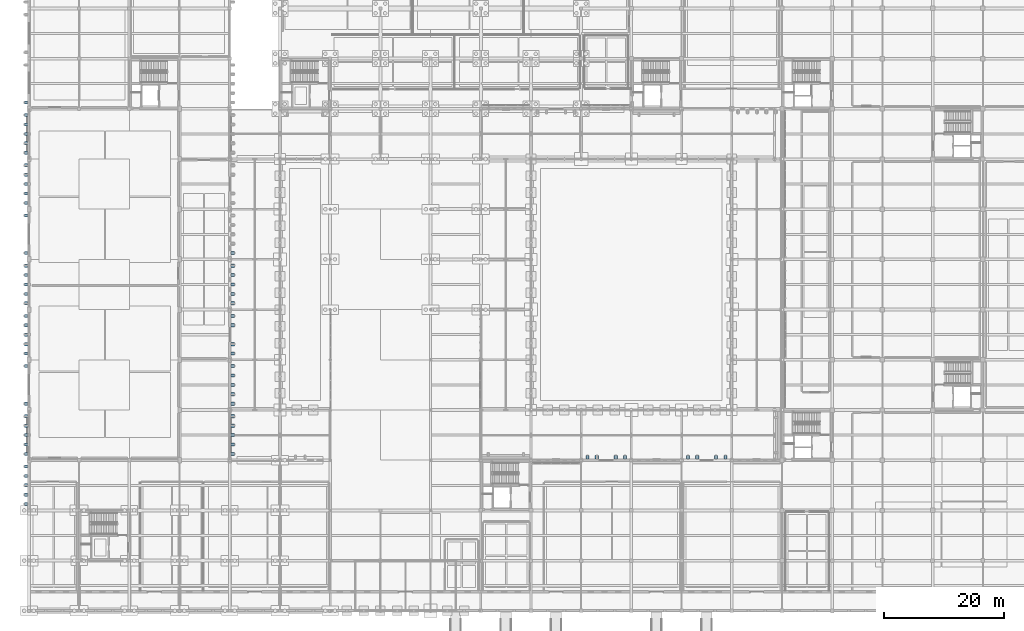
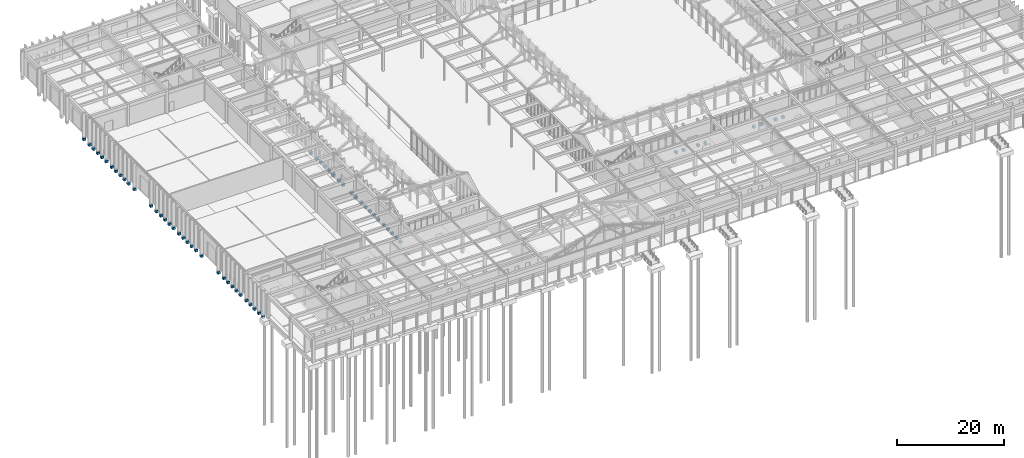
# One storey, part 4 of 143: 63 footings.
"""IFC4 building model written with IfcOpenShell, lengths in metres."""

from ifc_helpers import new_model, si_unit, direction, frame, origin, place, context, subcontext, project, spatial, polyline, outline, extrude, material, type_object, element, save


model = new_model("IFC4")

# Units and contexts
model_context = context("Model", 3, precision=1e-05, world=origin(), true_north=direction((0.0, 1.0)))
body_context = subcontext(model_context, "Body", "Model", "MODEL_VIEW")
ifc_project = project(units=[si_unit("LENGTHUNIT", "METRE"), si_unit("AREAUNIT", "SQUARE_METRE"), si_unit("VOLUMEUNIT", "CUBIC_METRE"), si_unit("PLANEANGLEUNIT", "RADIAN"), si_unit("MASSUNIT", "GRAM", prefix="KILO")], contexts=[model_context])

# Site, building, storey
site_placement = place(None, origin())
site = spatial("IfcSite", under=ifc_project, at=site_placement, CompositionType="ELEMENT")
building_placement = place(site_placement, origin())
building = spatial("IfcBuilding", under=site, at=building_placement, Name="Kveldsbrygga Polytechnic", CompositionType="ELEMENT")
storey_placement = place(building_placement, origin())
storey = spatial("IfcBuildingStorey", under=building, at=storey_placement, Name="L00", CompositionType="ELEMENT", Elevation=0.0)

# Footings
ifc_material = material(Name="Concrete C35/45", Category="concrete")
footing_type = type_object("IfcFootingType", Name="SF-PLINTH-850", PredefinedType="STRIP_FOOTING", material=ifc_material)
footing_1_placement = place(storey_placement, frame((0.0, 0.0, -0.800048828125)))
element("IfcFooting", 1, at=footing_1_placement, inside=storey, type_object=footing_type, Name="Buttress Plinth Footing FND-BUTT-L00-Y-00-02-1", PredefinedType="STRIP_FOOTING", context=body_context, shape_type="SweptSolid", body=[
    extrude(outline(polyline([(-0.784912109375, 17.625), (-0.2451171875, 17.625), (-0.2451171875, 18.1201171875), (-0.784912109375, 18.1201171875), (-0.784912109375, 17.625)])), origin(), (0.0, 0.0, 1.0), 0.550048828125),
])
footing_2_placement = place(storey_placement, frame((0.0, 0.0, -0.800048828125)))
element("IfcFooting", 2, at=footing_2_placement, inside=storey, type_object=footing_type, Name="Buttress Plinth Footing FND-BUTT-L00-Y-00-02-2", PredefinedType="STRIP_FOOTING", context=body_context, shape_type="SweptSolid", body=[
    extrude(outline(polyline([(-0.784912109375, 19.14990234375), (-0.2451171875, 19.14990234375), (-0.2451171875, 19.68994140625), (-0.784912109375, 19.68994140625), (-0.784912109375, 19.14990234375)])), origin(), (0.0, 0.0, 1.0), 0.550048828125),
])
footing_3_placement = place(storey_placement, frame((0.0, 0.0, -0.800048828125)))
element("IfcFooting", 3, at=footing_3_placement, inside=storey, type_object=footing_type, Name="Buttress Plinth Footing FND-BUTT-L00-Y-00-02-3", PredefinedType="STRIP_FOOTING", context=body_context, shape_type="SweptSolid", body=[
    extrude(outline(polyline([(-0.784912109375, 20.72998046875), (-0.2451171875, 20.72998046875), (-0.2451171875, 21.27001953125), (-0.784912109375, 21.27001953125), (-0.784912109375, 20.72998046875)])), origin(), (0.0, 0.0, 1.0), 0.550048828125),
])
footing_4_placement = place(storey_placement, frame((0.0, 0.0, -0.800048828125)))
element("IfcFooting", 4, at=footing_4_placement, inside=storey, type_object=footing_type, Name="Buttress Plinth Footing FND-BUTT-L00-Y-00-02-4", PredefinedType="STRIP_FOOTING", context=body_context, shape_type="SweptSolid", body=[
    extrude(outline(polyline([(-0.784912109375, 22.31005859375), (-0.2451171875, 22.31005859375), (-0.2451171875, 22.85009765625), (-0.784912109375, 22.85009765625), (-0.784912109375, 22.31005859375)])), origin(), (0.0, 0.0, 1.0), 0.550048828125),
])
footing_5_placement = place(storey_placement, frame((0.0, 0.0, -0.800048828125)))
element("IfcFooting", 5, at=footing_5_placement, inside=storey, type_object=footing_type, Name="Buttress Plinth Footing FND-BUTT-L00-Y-00-02-5", PredefinedType="STRIP_FOOTING", context=body_context, shape_type="SweptSolid", body=[
    extrude(outline(polyline([(-0.784912109375, 23.8798828125), (-0.2451171875, 23.8798828125), (-0.2451171875, 24.419921875), (-0.784912109375, 24.419921875), (-0.784912109375, 23.8798828125)])), origin(), (0.0, 0.0, 1.0), 0.550048828125),
])
footing_6_placement = place(storey_placement, frame((0.0, 0.0, -0.800048828125)))
element("IfcFooting", 6, at=footing_6_placement, inside=storey, type_object=footing_type, Name="Buttress Plinth Footing FND-BUTT-L00-Y-00-03-1", PredefinedType="STRIP_FOOTING", context=body_context, shape_type="SweptSolid", body=[
    extrude(outline(polyline([(-0.784912109375, 25.97998046875), (-0.2451171875, 25.97998046875), (-0.2451171875, 26.52001953125), (-0.784912109375, 26.52001953125), (-0.784912109375, 25.97998046875)])), origin(), (0.0, 0.0, 1.0), 0.550048828125),
])
footing_7_placement = place(storey_placement, frame((0.0, 0.0, -0.800048828125)))
element("IfcFooting", 7, at=footing_7_placement, inside=storey, type_object=footing_type, Name="Buttress Plinth Footing FND-BUTT-L00-Y-00-03-2", PredefinedType="STRIP_FOOTING", context=body_context, shape_type="SweptSolid", body=[
    extrude(outline(polyline([(-0.784912109375, 27.550048828125), (-0.2451171875, 27.550048828125), (-0.2451171875, 28.090087890625), (-0.784912109375, 28.090087890625), (-0.784912109375, 27.550048828125)])), origin(), (0.0, 0.0, 1.0), 0.550048828125),
])
footing_8_placement = place(storey_placement, frame((0.0, 0.0, -0.800048828125)))
element("IfcFooting", 8, at=footing_8_placement, inside=storey, type_object=footing_type, Name="Buttress Plinth Footing FND-BUTT-L00-Y-00-03-3", PredefinedType="STRIP_FOOTING", context=body_context, shape_type="SweptSolid", body=[
    extrude(outline(polyline([(-0.784912109375, 29.1298828125), (-0.2451171875, 29.1298828125), (-0.2451171875, 29.669921875), (-0.784912109375, 29.669921875), (-0.784912109375, 29.1298828125)])), origin(), (0.0, 0.0, 1.0), 0.550048828125),
])
footing_9_placement = place(storey_placement, frame((0.0, 0.0, -0.800048828125)))
element("IfcFooting", 9, at=footing_9_placement, inside=storey, type_object=footing_type, Name="Buttress Plinth Footing FND-BUTT-L00-Y-00-03-4", PredefinedType="STRIP_FOOTING", context=body_context, shape_type="SweptSolid", body=[
    extrude(outline(polyline([(-0.784912109375, 30.7099609375), (-0.2451171875, 30.7099609375), (-0.2451171875, 31.25), (-0.784912109375, 31.25), (-0.784912109375, 30.7099609375)])), origin(), (0.0, 0.0, 1.0), 0.550048828125),
])
footing_10_placement = place(storey_placement, frame((0.0, 0.0, -0.800048828125)))
element("IfcFooting", 10, at=footing_10_placement, inside=storey, type_object=footing_type, Name="Buttress Plinth Footing FND-BUTT-L00-Y-00-03-5", PredefinedType="STRIP_FOOTING", context=body_context, shape_type="SweptSolid", body=[
    extrude(outline(polyline([(-0.784912109375, 32.280029296875), (-0.2451171875, 32.280029296875), (-0.2451171875, 32.820068359375), (-0.784912109375, 32.820068359375), (-0.784912109375, 32.280029296875)])), origin(), (0.0, 0.0, 1.0), 0.550048828125),
])
footing_11_placement = place(storey_placement, frame((0.0, 0.0, -0.800048828125)))
element("IfcFooting", 11, at=footing_11_placement, inside=storey, type_object=footing_type, Name="Buttress Plinth Footing FND-BUTT-L00-Y-00-04-1", PredefinedType="STRIP_FOOTING", context=body_context, shape_type="SweptSolid", body=[
    extrude(outline(polyline([(-0.784912109375, 34.3798828125), (-0.2451171875, 34.3798828125), (-0.2451171875, 34.919921875), (-0.784912109375, 34.919921875), (-0.784912109375, 34.3798828125)])), origin(), (0.0, 0.0, 1.0), 0.550048828125),
])
footing_12_placement = place(storey_placement, frame((0.0, 0.0, -0.800048828125)))
element("IfcFooting", 12, at=footing_12_placement, inside=storey, type_object=footing_type, Name="Buttress Plinth Footing FND-BUTT-L00-Y-00-04-5", PredefinedType="STRIP_FOOTING", context=body_context, shape_type="SweptSolid", body=[
    extrude(outline(polyline([(-0.784912109375, 40.679931640625), (-0.2451171875, 40.679931640625), (-0.2451171875, 41.219970703125), (-0.784912109375, 41.219970703125), (-0.784912109375, 40.679931640625)])), origin(), (0.0, 0.0, 1.0), 0.550048828125),
])
footing_13_placement = place(storey_placement, frame((0.0, 0.0, -0.800048828125)))
element("IfcFooting", 13, at=footing_13_placement, inside=storey, type_object=footing_type, Name="Buttress Plinth Footing FND-BUTT-L00-Y-00-05-1", PredefinedType="STRIP_FOOTING", context=body_context, shape_type="SweptSolid", body=[
    extrude(outline(polyline([(-0.784912109375, 42.780029296875), (-0.2451171875, 42.780029296875), (-0.2451171875, 43.320068359375), (-0.784912109375, 43.320068359375), (-0.784912109375, 42.780029296875)])), origin(), (0.0, 0.0, 1.0), 0.550048828125),
])
footing_14_placement = place(storey_placement, frame((0.0, 0.0, -0.800048828125)))
element("IfcFooting", 14, at=footing_14_placement, inside=storey, type_object=footing_type, Name="Buttress Plinth Footing FND-BUTT-L00-Y-00-05-2", PredefinedType="STRIP_FOOTING", context=body_context, shape_type="SweptSolid", body=[
    extrude(outline(polyline([(-0.784912109375, 44.35009765625), (-0.2451171875, 44.35009765625), (-0.2451171875, 44.889892578125), (-0.784912109375, 44.889892578125), (-0.784912109375, 44.35009765625)])), origin(), (0.0, 0.0, 1.0), 0.550048828125),
])
footing_15_placement = place(storey_placement, frame((0.0, 0.0, -0.800048828125)))
element("IfcFooting", 15, at=footing_15_placement, inside=storey, type_object=footing_type, Name="Buttress Plinth Footing FND-BUTT-L00-Y-00-05-3", PredefinedType="STRIP_FOOTING", context=body_context, shape_type="SweptSolid", body=[
    extrude(outline(polyline([(-0.784912109375, 45.929931640625), (-0.2451171875, 45.929931640625), (-0.2451171875, 46.469970703125), (-0.784912109375, 46.469970703125), (-0.784912109375, 45.929931640625)])), origin(), (0.0, 0.0, 1.0), 0.550048828125),
])
footing_16_placement = place(storey_placement, frame((0.0, 0.0, -0.800048828125)))
element("IfcFooting", 16, at=footing_16_placement, inside=storey, type_object=footing_type, Name="Buttress Plinth Footing FND-BUTT-L00-Y-00-05-4", PredefinedType="STRIP_FOOTING", context=body_context, shape_type="SweptSolid", body=[
    extrude(outline(polyline([(-0.784912109375, 47.510009765625), (-0.2451171875, 47.510009765625), (-0.2451171875, 48.050048828125), (-0.784912109375, 48.050048828125), (-0.784912109375, 47.510009765625)])), origin(), (0.0, 0.0, 1.0), 0.550048828125),
])
footing_17_placement = place(storey_placement, frame((0.0, 0.0, -0.800048828125)))
element("IfcFooting", 17, at=footing_17_placement, inside=storey, type_object=footing_type, Name="Buttress Plinth Footing FND-BUTT-L00-Y-00-05-5", PredefinedType="STRIP_FOOTING", context=body_context, shape_type="SweptSolid", body=[
    extrude(outline(polyline([(-0.784912109375, 49.080078125), (-0.2451171875, 49.080078125), (-0.2451171875, 49.6201171875), (-0.784912109375, 49.6201171875), (-0.784912109375, 49.080078125)])), origin(), (0.0, 0.0, 1.0), 0.550048828125),
])
footing_18_placement = place(storey_placement, frame((0.0, 0.0, -0.800048828125)))
element("IfcFooting", 18, at=footing_18_placement, inside=storey, type_object=footing_type, Name="Buttress Plinth Footing FND-BUTT-L00-Y-00-06-1", PredefinedType="STRIP_FOOTING", context=body_context, shape_type="SweptSolid", body=[
    extrude(outline(polyline([(-0.784912109375, 51.179931640625), (-0.2451171875, 51.179931640625), (-0.2451171875, 51.719970703125), (-0.784912109375, 51.719970703125), (-0.784912109375, 51.179931640625)])), origin(), (0.0, 0.0, 1.0), 0.550048828125),
])
footing_19_placement = place(storey_placement, frame((0.0, 0.0, -0.800048828125)))
element("IfcFooting", 19, at=footing_19_placement, inside=storey, type_object=footing_type, Name="Buttress Plinth Footing FND-BUTT-L00-Y-00-06-2", PredefinedType="STRIP_FOOTING", context=body_context, shape_type="SweptSolid", body=[
    extrude(outline(polyline([(-0.784912109375, 52.75), (-0.2451171875, 52.75), (-0.2451171875, 53.2900390625), (-0.784912109375, 53.2900390625), (-0.784912109375, 52.75)])), origin(), (0.0, 0.0, 1.0), 0.550048828125),
])
footing_20_placement = place(storey_placement, frame((0.0, 0.0, -0.800048828125)))
element("IfcFooting", 20, at=footing_20_placement, inside=storey, type_object=footing_type, Name="Buttress Plinth Footing FND-BUTT-L00-Y-00-06-3", PredefinedType="STRIP_FOOTING", context=body_context, shape_type="SweptSolid", body=[
    extrude(outline(polyline([(-0.784912109375, 54.330078125), (-0.2451171875, 54.330078125), (-0.2451171875, 54.8701171875), (-0.784912109375, 54.8701171875), (-0.784912109375, 54.330078125)])), origin(), (0.0, 0.0, 1.0), 0.550048828125),
])
footing_21_placement = place(storey_placement, frame((0.0, 0.0, -0.800048828125)))
element("IfcFooting", 21, at=footing_21_placement, inside=storey, type_object=footing_type, Name="Buttress Plinth Footing FND-BUTT-L00-Y-00-06-4", PredefinedType="STRIP_FOOTING", context=body_context, shape_type="SweptSolid", body=[
    extrude(outline(polyline([(-0.784912109375, 55.909912109375), (-0.2451171875, 55.909912109375), (-0.2451171875, 56.449951171875), (-0.784912109375, 56.449951171875), (-0.784912109375, 55.909912109375)])), origin(), (0.0, 0.0, 1.0), 0.550048828125),
])
footing_22_placement = place(storey_placement, frame((0.0, 0.0, -0.800048828125)))
element("IfcFooting", 22, at=footing_22_placement, inside=storey, type_object=footing_type, Name="Buttress Plinth Footing FND-BUTT-L00-Y-00-06-5", PredefinedType="STRIP_FOOTING", context=body_context, shape_type="SweptSolid", body=[
    extrude(outline(polyline([(-0.784912109375, 57.47998046875), (-0.2451171875, 57.47998046875), (-0.2451171875, 58.02001953125), (-0.784912109375, 58.02001953125), (-0.784912109375, 57.47998046875)])), origin(), (0.0, 0.0, 1.0), 0.550048828125),
])
footing_23_placement = place(storey_placement, frame((0.0, 0.0, -0.800048828125)))
element("IfcFooting", 23, at=footing_23_placement, inside=storey, type_object=footing_type, Name="Buttress Plinth Footing FND-BUTT-L00-Y-00-07-1", PredefinedType="STRIP_FOOTING", context=body_context, shape_type="SweptSolid", body=[
    extrude(outline(polyline([(-0.784912109375, 59.580078125), (-0.2451171875, 59.580078125), (-0.2451171875, 60.1201171875), (-0.784912109375, 60.1201171875), (-0.784912109375, 59.580078125)])), origin(), (0.0, 0.0, 1.0), 0.550048828125),
])
footing_24_placement = place(storey_placement, frame((0.0, 0.0, -0.800048828125)))
element("IfcFooting", 24, at=footing_24_placement, inside=storey, type_object=footing_type, Name="Buttress Plinth Footing FND-BUTT-L00-Y-00-07-5", PredefinedType="STRIP_FOOTING", context=body_context, shape_type="SweptSolid", body=[
    extrude(outline(polyline([(-0.784912109375, 65.8798828125), (-0.2451171875, 65.8798828125), (-0.2451171875, 66.419921875), (-0.784912109375, 66.419921875), (-0.784912109375, 65.8798828125)])), origin(), (0.0, 0.0, 1.0), 0.550048828125),
])
footing_25_placement = place(storey_placement, frame((0.0, 0.0, -0.800048828125)))
element("IfcFooting", 25, at=footing_25_placement, inside=storey, type_object=footing_type, Name="Buttress Plinth Footing FND-BUTT-L00-Y-00-08-1", PredefinedType="STRIP_FOOTING", context=body_context, shape_type="SweptSolid", body=[
    extrude(outline(polyline([(-0.784912109375, 67.97998046875), (-0.2451171875, 67.97998046875), (-0.2451171875, 68.52001953125), (-0.784912109375, 68.52001953125), (-0.784912109375, 67.97998046875)])), origin(), (0.0, 0.0, 1.0), 0.550048828125),
])
footing_26_placement = place(storey_placement, frame((0.0, 0.0, -0.800048828125)))
element("IfcFooting", 26, at=footing_26_placement, inside=storey, type_object=footing_type, Name="Buttress Plinth Footing FND-BUTT-L00-Y-00-08-2", PredefinedType="STRIP_FOOTING", context=body_context, shape_type="SweptSolid", body=[
    extrude(outline(polyline([(-0.784912109375, 69.550048828125), (-0.2451171875, 69.550048828125), (-0.2451171875, 70.090087890625), (-0.784912109375, 70.090087890625), (-0.784912109375, 69.550048828125)])), origin(), (0.0, 0.0, 1.0), 0.550048828125),
])
footing_27_placement = place(storey_placement, frame((0.0, 0.0, -0.800048828125)))
element("IfcFooting", 27, at=footing_27_placement, inside=storey, type_object=footing_type, Name="Buttress Plinth Footing FND-BUTT-L00-Y-00-08-3", PredefinedType="STRIP_FOOTING", context=body_context, shape_type="SweptSolid", body=[
    extrude(outline(polyline([(-0.784912109375, 71.1298828125), (-0.2451171875, 71.1298828125), (-0.2451171875, 71.669921875), (-0.784912109375, 71.669921875), (-0.784912109375, 71.1298828125)])), origin(), (0.0, 0.0, 1.0), 0.550048828125),
])
footing_28_placement = place(storey_placement, frame((0.0, 0.0, -0.800048828125)))
element("IfcFooting", 28, at=footing_28_placement, inside=storey, type_object=footing_type, Name="Buttress Plinth Footing FND-BUTT-L00-Y-00-08-4", PredefinedType="STRIP_FOOTING", context=body_context, shape_type="SweptSolid", body=[
    extrude(outline(polyline([(-0.784912109375, 72.7099609375), (-0.2451171875, 72.7099609375), (-0.2451171875, 73.25), (-0.784912109375, 73.25), (-0.784912109375, 72.7099609375)])), origin(), (0.0, 0.0, 1.0), 0.550048828125),
])
footing_29_placement = place(storey_placement, frame((0.0, 0.0, -0.800048828125)))
element("IfcFooting", 29, at=footing_29_placement, inside=storey, type_object=footing_type, Name="Buttress Plinth Footing FND-BUTT-L00-Y-00-08-5", PredefinedType="STRIP_FOOTING", context=body_context, shape_type="SweptSolid", body=[
    extrude(outline(polyline([(-0.784912109375, 74.280029296875), (-0.2451171875, 74.280029296875), (-0.2451171875, 74.820068359375), (-0.784912109375, 74.820068359375), (-0.784912109375, 74.280029296875)])), origin(), (0.0, 0.0, 1.0), 0.550048828125),
])
footing_30_placement = place(storey_placement, frame((0.0, 0.0, -0.800048828125)))
element("IfcFooting", 30, at=footing_30_placement, inside=storey, type_object=footing_type, Name="Buttress Plinth Footing FND-BUTT-L00-Y-00-09-1", PredefinedType="STRIP_FOOTING", context=body_context, shape_type="SweptSolid", body=[
    extrude(outline(polyline([(-0.784912109375, 76.3798828125), (-0.2451171875, 76.3798828125), (-0.2451171875, 76.919921875), (-0.784912109375, 76.919921875), (-0.784912109375, 76.3798828125)])), origin(), (0.0, 0.0, 1.0), 0.550048828125),
])
footing_31_placement = place(storey_placement, frame((0.0, 0.0, -0.800048828125)))
element("IfcFooting", 31, at=footing_31_placement, inside=storey, type_object=footing_type, Name="Buttress Plinth Footing FND-BUTT-L00-Y-00-09-2", PredefinedType="STRIP_FOOTING", context=body_context, shape_type="SweptSolid", body=[
    extrude(outline(polyline([(-0.784912109375, 77.949951171875), (-0.2451171875, 77.949951171875), (-0.2451171875, 78.489990234375), (-0.784912109375, 78.489990234375), (-0.784912109375, 77.949951171875)])), origin(), (0.0, 0.0, 1.0), 0.550048828125),
])
footing_32_placement = place(storey_placement, frame((0.0, 0.0, -0.800048828125)))
element("IfcFooting", 32, at=footing_32_placement, inside=storey, type_object=footing_type, Name="Buttress Plinth Footing FND-BUTT-L00-Y-00-09-3", PredefinedType="STRIP_FOOTING", context=body_context, shape_type="SweptSolid", body=[
    extrude(outline(polyline([(-0.784912109375, 79.530029296875), (-0.2451171875, 79.530029296875), (-0.2451171875, 80.070068359375), (-0.784912109375, 80.070068359375), (-0.784912109375, 79.530029296875)])), origin(), (0.0, 0.0, 1.0), 0.550048828125),
])
footing_33_placement = place(storey_placement, frame((0.0, 0.0, -0.800048828125)))
element("IfcFooting", 33, at=footing_33_placement, inside=storey, type_object=footing_type, Name="Buttress Plinth Footing FND-BUTT-L00-Y-00-09-4", PredefinedType="STRIP_FOOTING", context=body_context, shape_type="SweptSolid", body=[
    extrude(outline(polyline([(-0.784912109375, 81.110107421875), (-0.2451171875, 81.110107421875), (-0.2451171875, 81.64990234375), (-0.784912109375, 81.64990234375), (-0.784912109375, 81.110107421875)])), origin(), (0.0, 0.0, 1.0), 0.550048828125),
])
footing_34_placement = place(storey_placement, frame((0.0, 0.0, -0.800048828125)))
element("IfcFooting", 34, at=footing_34_placement, inside=storey, type_object=footing_type, Name="Buttress Plinth Footing FND-BUTT-L00-Y-00-09-5", PredefinedType="STRIP_FOOTING", context=body_context, shape_type="SweptSolid", body=[
    extrude(outline(polyline([(-0.784912109375, 82.679931640625), (-0.2451171875, 82.679931640625), (-0.2451171875, 83.219970703125), (-0.784912109375, 83.219970703125), (-0.784912109375, 82.679931640625)])), origin(), (0.0, 0.0, 1.0), 0.550048828125),
])
footing_35_placement = place(storey_placement, frame((0.0, 0.0, -0.800048828125)))
element("IfcFooting", 35, at=footing_35_placement, inside=storey, type_object=footing_type, Name="Buttress Plinth Footing FND-BUTT-L00-Y-00-10-1", PredefinedType="STRIP_FOOTING", context=body_context, shape_type="SweptSolid", body=[
    extrude(outline(polyline([(-0.784912109375, 84.780029296875), (-0.2451171875, 84.780029296875), (-0.2451171875, 85.320068359375), (-0.784912109375, 85.320068359375), (-0.784912109375, 84.780029296875)])), origin(), (0.0, 0.0, 1.0), 0.550048828125),
])
footing_36_placement = place(storey_placement, frame((0.0, 0.0, -0.800048828125)))
element("IfcFooting", 36, at=footing_36_placement, inside=storey, type_object=footing_type, Name="Buttress Plinth Footing FND-BUTT-L00-Y-04-03-1", PredefinedType="STRIP_FOOTING", context=body_context, shape_type="SweptSolid", body=[
    extrude(outline(polyline([(33.844970703125, 25.97998046875), (34.385009765625, 25.97998046875), (34.385009765625, 26.52001953125), (33.844970703125, 26.52001953125), (33.844970703125, 25.97998046875)])), origin(), (0.0, 0.0, 1.0), 0.550048828125),
])
footing_37_placement = place(storey_placement, frame((0.0, 0.0, -0.800048828125)))
element("IfcFooting", 37, at=footing_37_placement, inside=storey, type_object=footing_type, Name="Buttress Plinth Footing FND-BUTT-L00-Y-04-03-2", PredefinedType="STRIP_FOOTING", context=body_context, shape_type="SweptSolid", body=[
    extrude(outline(polyline([(33.844970703125, 27.550048828125), (34.385009765625, 27.550048828125), (34.385009765625, 28.090087890625), (33.844970703125, 28.090087890625), (33.844970703125, 27.550048828125)])), origin(), (0.0, 0.0, 1.0), 0.550048828125),
])
footing_38_placement = place(storey_placement, frame((0.0, 0.0, -0.800048828125)))
element("IfcFooting", 38, at=footing_38_placement, inside=storey, type_object=footing_type, Name="Buttress Plinth Footing FND-BUTT-L00-Y-04-03-3", PredefinedType="STRIP_FOOTING", context=body_context, shape_type="SweptSolid", body=[
    extrude(outline(polyline([(33.844970703125, 29.1298828125), (34.385009765625, 29.1298828125), (34.385009765625, 29.669921875), (33.844970703125, 29.669921875), (33.844970703125, 29.1298828125)])), origin(), (0.0, 0.0, 1.0), 0.550048828125),
])
footing_39_placement = place(storey_placement, frame((0.0, 0.0, -0.800048828125)))
element("IfcFooting", 39, at=footing_39_placement, inside=storey, type_object=footing_type, Name="Buttress Plinth Footing FND-BUTT-L00-Y-04-03-4", PredefinedType="STRIP_FOOTING", context=body_context, shape_type="SweptSolid", body=[
    extrude(outline(polyline([(33.844970703125, 30.7099609375), (34.385009765625, 30.7099609375), (34.385009765625, 31.25), (33.844970703125, 31.25), (33.844970703125, 30.7099609375)])), origin(), (0.0, 0.0, 1.0), 0.550048828125),
])
footing_40_placement = place(storey_placement, frame((0.0, 0.0, -0.800048828125)))
element("IfcFooting", 40, at=footing_40_placement, inside=storey, type_object=footing_type, Name="Buttress Plinth Footing FND-BUTT-L00-Y-04-03-5", PredefinedType="STRIP_FOOTING", context=body_context, shape_type="SweptSolid", body=[
    extrude(outline(polyline([(33.844970703125, 32.280029296875), (34.385009765625, 32.280029296875), (34.385009765625, 32.820068359375), (33.844970703125, 32.820068359375), (33.844970703125, 32.280029296875)])), origin(), (0.0, 0.0, 1.0), 0.550048828125),
])
footing_41_placement = place(storey_placement, frame((0.0, 0.0, -0.800048828125)))
element("IfcFooting", 41, at=footing_41_placement, inside=storey, type_object=footing_type, Name="Buttress Plinth Footing FND-BUTT-L00-Y-04-04-1", PredefinedType="STRIP_FOOTING", context=body_context, shape_type="SweptSolid", body=[
    extrude(outline(polyline([(33.844970703125, 34.3798828125), (34.385009765625, 34.3798828125), (34.385009765625, 34.919921875), (33.844970703125, 34.919921875), (33.844970703125, 34.3798828125)])), origin(), (0.0, 0.0, 1.0), 0.550048828125),
])
footing_42_placement = place(storey_placement, frame((0.0, 0.0, -0.800048828125)))
element("IfcFooting", 42, at=footing_42_placement, inside=storey, type_object=footing_type, Name="Buttress Plinth Footing FND-BUTT-L00-Y-04-04-2", PredefinedType="STRIP_FOOTING", context=body_context, shape_type="SweptSolid", body=[
    extrude(outline(polyline([(33.844970703125, 35.949951171875), (34.385009765625, 35.949951171875), (34.385009765625, 36.489990234375), (33.844970703125, 36.489990234375), (33.844970703125, 35.949951171875)])), origin(), (0.0, 0.0, 1.0), 0.550048828125),
])
footing_43_placement = place(storey_placement, frame((0.0, 0.0, -0.800048828125)))
element("IfcFooting", 43, at=footing_43_placement, inside=storey, type_object=footing_type, Name="Buttress Plinth Footing FND-BUTT-L00-Y-04-04-3", PredefinedType="STRIP_FOOTING", context=body_context, shape_type="SweptSolid", body=[
    extrude(outline(polyline([(33.844970703125, 37.530029296875), (34.385009765625, 37.530029296875), (34.385009765625, 38.070068359375), (33.844970703125, 38.070068359375), (33.844970703125, 37.530029296875)])), origin(), (0.0, 0.0, 1.0), 0.550048828125),
])
footing_44_placement = place(storey_placement, frame((0.0, 0.0, -0.800048828125)))
element("IfcFooting", 44, at=footing_44_placement, inside=storey, type_object=footing_type, Name="Buttress Plinth Footing FND-BUTT-L00-Y-04-04-4", PredefinedType="STRIP_FOOTING", context=body_context, shape_type="SweptSolid", body=[
    extrude(outline(polyline([(33.844970703125, 39.110107421875), (34.385009765625, 39.110107421875), (34.385009765625, 39.64990234375), (33.844970703125, 39.64990234375), (33.844970703125, 39.110107421875)])), origin(), (0.0, 0.0, 1.0), 0.550048828125),
])
footing_45_placement = place(storey_placement, frame((0.0, 0.0, -0.800048828125)))
element("IfcFooting", 45, at=footing_45_placement, inside=storey, type_object=footing_type, Name="Buttress Plinth Footing FND-BUTT-L00-Y-04-04-5", PredefinedType="STRIP_FOOTING", context=body_context, shape_type="SweptSolid", body=[
    extrude(outline(polyline([(33.844970703125, 40.679931640625), (34.385009765625, 40.679931640625), (34.385009765625, 41.219970703125), (33.844970703125, 41.219970703125), (33.844970703125, 40.679931640625)])), origin(), (0.0, 0.0, 1.0), 0.550048828125),
])
footing_46_placement = place(storey_placement, frame((0.0, 0.0, -0.800048828125)))
element("IfcFooting", 46, at=footing_46_placement, inside=storey, type_object=footing_type, Name="Buttress Plinth Footing FND-BUTT-L00-Y-04-05-1", PredefinedType="STRIP_FOOTING", context=body_context, shape_type="SweptSolid", body=[
    extrude(outline(polyline([(33.844970703125, 42.780029296875), (34.385009765625, 42.780029296875), (34.385009765625, 43.320068359375), (33.844970703125, 43.320068359375), (33.844970703125, 42.780029296875)])), origin(), (0.0, 0.0, 1.0), 0.550048828125),
])
footing_47_placement = place(storey_placement, frame((0.0, 0.0, -0.800048828125)))
element("IfcFooting", 47, at=footing_47_placement, inside=storey, type_object=footing_type, Name="Buttress Plinth Footing FND-BUTT-L00-Y-04-05-2", PredefinedType="STRIP_FOOTING", context=body_context, shape_type="SweptSolid", body=[
    extrude(outline(polyline([(33.844970703125, 44.35009765625), (34.385009765625, 44.35009765625), (34.385009765625, 44.889892578125), (33.844970703125, 44.889892578125), (33.844970703125, 44.35009765625)])), origin(), (0.0, 0.0, 1.0), 0.550048828125),
])
footing_48_placement = place(storey_placement, frame((0.0, 0.0, -0.800048828125)))
element("IfcFooting", 48, at=footing_48_placement, inside=storey, type_object=footing_type, Name="Buttress Plinth Footing FND-BUTT-L00-Y-04-05-4", PredefinedType="STRIP_FOOTING", context=body_context, shape_type="SweptSolid", body=[
    extrude(outline(polyline([(33.844970703125, 47.510009765625), (34.385009765625, 47.510009765625), (34.385009765625, 48.050048828125), (33.844970703125, 48.050048828125), (33.844970703125, 47.510009765625)])), origin(), (0.0, 0.0, 1.0), 0.550048828125),
])
footing_49_placement = place(storey_placement, frame((0.0, 0.0, -0.800048828125)))
element("IfcFooting", 49, at=footing_49_placement, inside=storey, type_object=footing_type, Name="Buttress Plinth Footing FND-BUTT-L00-Y-04-05-5", PredefinedType="STRIP_FOOTING", context=body_context, shape_type="SweptSolid", body=[
    extrude(outline(polyline([(33.844970703125, 49.080078125), (34.385009765625, 49.080078125), (34.385009765625, 49.6201171875), (33.844970703125, 49.6201171875), (33.844970703125, 49.080078125)])), origin(), (0.0, 0.0, 1.0), 0.550048828125),
])
footing_50_placement = place(storey_placement, frame((0.0, 0.0, -0.800048828125)))
element("IfcFooting", 50, at=footing_50_placement, inside=storey, type_object=footing_type, Name="Buttress Plinth Footing FND-BUTT-L00-Y-04-06-1", PredefinedType="STRIP_FOOTING", context=body_context, shape_type="SweptSolid", body=[
    extrude(outline(polyline([(33.844970703125, 51.179931640625), (34.385009765625, 51.179931640625), (34.385009765625, 51.719970703125), (33.844970703125, 51.719970703125), (33.844970703125, 51.179931640625)])), origin(), (0.0, 0.0, 1.0), 0.550048828125),
])
footing_51_placement = place(storey_placement, frame((0.0, 0.0, -0.800048828125)))
element("IfcFooting", 51, at=footing_51_placement, inside=storey, type_object=footing_type, Name="Buttress Plinth Footing FND-BUTT-L00-Y-04-06-2", PredefinedType="STRIP_FOOTING", context=body_context, shape_type="SweptSolid", body=[
    extrude(outline(polyline([(33.844970703125, 52.75), (34.385009765625, 52.75), (34.385009765625, 53.2900390625), (33.844970703125, 53.2900390625), (33.844970703125, 52.75)])), origin(), (0.0, 0.0, 1.0), 0.550048828125),
])
footing_52_placement = place(storey_placement, frame((0.0, 0.0, -0.800048828125)))
element("IfcFooting", 52, at=footing_52_placement, inside=storey, type_object=footing_type, Name="Buttress Plinth Footing FND-BUTT-L00-Y-04-06-3", PredefinedType="STRIP_FOOTING", context=body_context, shape_type="SweptSolid", body=[
    extrude(outline(polyline([(33.844970703125, 54.330078125), (34.385009765625, 54.330078125), (34.385009765625, 54.8701171875), (33.844970703125, 54.8701171875), (33.844970703125, 54.330078125)])), origin(), (0.0, 0.0, 1.0), 0.550048828125),
])
footing_53_placement = place(storey_placement, frame((0.0, 0.0, -0.800048828125)))
element("IfcFooting", 53, at=footing_53_placement, inside=storey, type_object=footing_type, Name="Buttress Plinth Footing FND-BUTT-L00-Y-04-06-4", PredefinedType="STRIP_FOOTING", context=body_context, shape_type="SweptSolid", body=[
    extrude(outline(polyline([(33.844970703125, 55.909912109375), (34.385009765625, 55.909912109375), (34.385009765625, 56.449951171875), (33.844970703125, 56.449951171875), (33.844970703125, 55.909912109375)])), origin(), (0.0, 0.0, 1.0), 0.550048828125),
])
footing_54_placement = place(storey_placement, frame((0.0, 0.0, -0.800048828125)))
element("IfcFooting", 54, at=footing_54_placement, inside=storey, type_object=footing_type, Name="Buttress Plinth Footing FND-BUTT-L00-Y-04-06-5", PredefinedType="STRIP_FOOTING", context=body_context, shape_type="SweptSolid", body=[
    extrude(outline(polyline([(33.844970703125, 57.47998046875), (34.385009765625, 57.47998046875), (34.385009765625, 58.02001953125), (33.844970703125, 58.02001953125), (33.844970703125, 57.47998046875)])), origin(), (0.0, 0.0, 1.0), 0.550048828125),
])
footing_55_placement = place(storey_placement, frame((0.0, 0.0, -0.800048828125)))
element("IfcFooting", 55, at=footing_55_placement, inside=storey, type_object=footing_type, Name="Buttress Plinth Footing FND-BUTT-L00-Y-04-07-1", PredefinedType="STRIP_FOOTING", context=body_context, shape_type="SweptSolid", body=[
    extrude(outline(polyline([(33.844970703125, 59.580078125), (34.385009765625, 59.580078125), (34.385009765625, 60.1201171875), (33.844970703125, 60.1201171875), (33.844970703125, 59.580078125)])), origin(), (0.0, 0.0, 1.0), 0.550048828125),
])
footing_56_placement = place(storey_placement, frame((0.0, 0.0, -0.800048828125)))
element("IfcFooting", 56, at=footing_56_placement, inside=storey, type_object=footing_type, Name="Buttress Plinth Footing FND-BUTT-L00-X-11-03-1", PredefinedType="STRIP_FOOTING", context=body_context, shape_type="SweptSolid", body=[
    extrude(outline(polyline([(93.179931640625, 25.445068359375), (93.719970703125, 25.445068359375), (93.719970703125, 25.985107421875), (93.179931640625, 25.985107421875), (93.179931640625, 25.445068359375)])), origin(), (0.0, 0.0, 1.0), 0.550048828125),
])
footing_57_placement = place(storey_placement, frame((0.0, 0.0, -0.800048828125)))
element("IfcFooting", 57, at=footing_57_placement, inside=storey, type_object=footing_type, Name="Buttress Plinth Footing FND-BUTT-L00-X-11-03-2", PredefinedType="STRIP_FOOTING", context=body_context, shape_type="SweptSolid", body=[
    extrude(outline(polyline([(94.75, 25.445068359375), (95.2900390625, 25.445068359375), (95.2900390625, 25.985107421875), (94.75, 25.985107421875), (94.75, 25.445068359375)])), origin(), (0.0, 0.0, 1.0), 0.550048828125),
])
footing_58_placement = place(storey_placement, frame((0.0, 0.0, -0.800048828125)))
element("IfcFooting", 58, at=footing_58_placement, inside=storey, type_object=footing_type, Name="Buttress Plinth Footing FND-BUTT-L00-X-11-03-4", PredefinedType="STRIP_FOOTING", context=body_context, shape_type="SweptSolid", body=[
    extrude(outline(polyline([(97.909912109375, 25.445068359375), (98.449951171875, 25.445068359375), (98.449951171875, 25.985107421875), (97.909912109375, 25.985107421875), (97.909912109375, 25.445068359375)])), origin(), (0.0, 0.0, 1.0), 0.550048828125),
])
footing_59_placement = place(storey_placement, frame((0.0, 0.0, -0.800048828125)))
element("IfcFooting", 59, at=footing_59_placement, inside=storey, type_object=footing_type, Name="Buttress Plinth Footing FND-BUTT-L00-X-11-03-5", PredefinedType="STRIP_FOOTING", context=body_context, shape_type="SweptSolid", body=[
    extrude(outline(polyline([(99.47998046875, 25.445068359375), (100.02001953125, 25.445068359375), (100.02001953125, 25.985107421875), (99.47998046875, 25.985107421875), (99.47998046875, 25.445068359375)])), origin(), (0.0, 0.0, 1.0), 0.550048828125),
])
footing_60_placement = place(storey_placement, frame((0.0, 0.0, -0.800048828125)))
element("IfcFooting", 60, at=footing_60_placement, inside=storey, type_object=footing_type, Name="Buttress Plinth Footing FND-BUTT-L00-X-13-03-1", PredefinedType="STRIP_FOOTING", context=body_context, shape_type="SweptSolid", body=[
    extrude(outline(polyline([(109.97998046875, 25.445068359375), (110.52001953125, 25.445068359375), (110.52001953125, 25.985107421875), (109.97998046875, 25.985107421875), (109.97998046875, 25.445068359375)])), origin(), (0.0, 0.0, 1.0), 0.550048828125),
])
footing_61_placement = place(storey_placement, frame((0.0, 0.0, -0.800048828125)))
element("IfcFooting", 61, at=footing_61_placement, inside=storey, type_object=footing_type, Name="Buttress Plinth Footing FND-BUTT-L00-X-13-03-2", PredefinedType="STRIP_FOOTING", context=body_context, shape_type="SweptSolid", body=[
    extrude(outline(polyline([(111.550048828125, 25.445068359375), (112.090087890625, 25.445068359375), (112.090087890625, 25.985107421875), (111.550048828125, 25.985107421875), (111.550048828125, 25.445068359375)])), origin(), (0.0, 0.0, 1.0), 0.550048828125),
])
footing_62_placement = place(storey_placement, frame((0.0, 0.0, -0.800048828125)))
element("IfcFooting", 62, at=footing_62_placement, inside=storey, type_object=footing_type, Name="Buttress Plinth Footing FND-BUTT-L00-X-13-03-4", PredefinedType="STRIP_FOOTING", context=body_context, shape_type="SweptSolid", body=[
    extrude(outline(polyline([(114.7099609375, 25.445068359375), (115.25, 25.445068359375), (115.25, 25.985107421875), (114.7099609375, 25.985107421875), (114.7099609375, 25.445068359375)])), origin(), (0.0, 0.0, 1.0), 0.550048828125),
])
footing_63_placement = place(storey_placement, frame((0.0, 0.0, -0.800048828125)))
element("IfcFooting", 63, at=footing_63_placement, inside=storey, type_object=footing_type, Name="Buttress Plinth Footing FND-BUTT-L00-X-13-03-5", PredefinedType="STRIP_FOOTING", context=body_context, shape_type="SweptSolid", body=[
    extrude(outline(polyline([(116.280029296875, 25.445068359375), (116.820068359375, 25.445068359375), (116.820068359375, 25.985107421875), (116.280029296875, 25.985107421875), (116.280029296875, 25.445068359375)])), origin(), (0.0, 0.0, 1.0), 0.550048828125),
])

save(model, "model.ifc")
